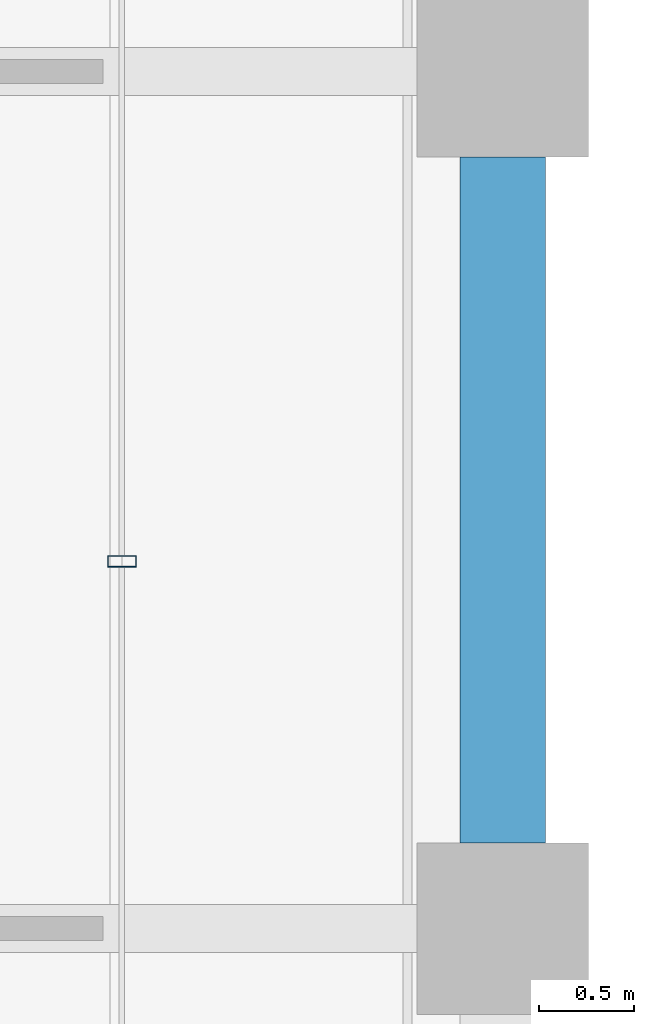
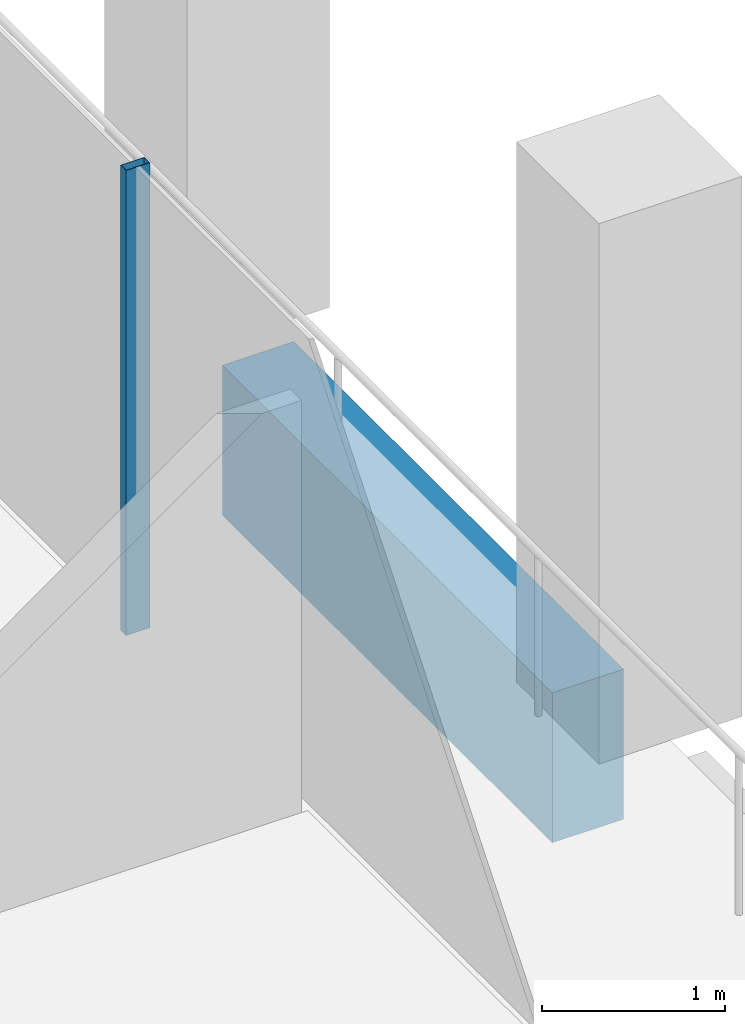
# One storey, part 17 of 40: 1 beam, 1 member, 1 element without a shape of its own.
"""IFC4 building model written with IfcOpenShell, lengths in metres."""

from ifc_helpers import new_model, si_unit, direction, frame, origin, origin_2d, place, context, subcontext, project, spatial, rectangle, hollow_rectangle, extrude, material, material_profile, profile_set, type_object, element, aggregate, save


model = new_model("IFC4")

# Units and contexts
model_context = context("Model", 3, precision=1e-05, world=origin(), true_north=direction((0.0, 1.0)))
body_context = subcontext(model_context, "Body", "Model", "MODEL_VIEW")
ifc_project = project(units=[si_unit("LENGTHUNIT", "METRE"), si_unit("AREAUNIT", "SQUARE_METRE"), si_unit("VOLUMEUNIT", "CUBIC_METRE"), si_unit("PLANEANGLEUNIT", "RADIAN"), si_unit("MASSUNIT", "GRAM", prefix="KILO")], contexts=[model_context])

# Site, building, storey
site_placement = place(None, origin())
site = spatial("IfcSite", under=ifc_project, at=site_placement, CompositionType="ELEMENT")
building_placement = place(site_placement, origin())
building = spatial("IfcBuilding", under=site, at=building_placement, Name="Altepetl Exchange Towers", CompositionType="ELEMENT")
storey_placement = place(building_placement, frame((0.0, 0.0, 176.199951171875)))
storey = spatial("IfcBuildingStorey", under=building, at=storey_placement, Name="L44", CompositionType="ELEMENT", Elevation=176.199951171875)

# Curtain wall, member
ifc_material_1 = material(Name="Aluminium 6063-T6 glazing", Category="aluminium")
curtain_wall_type = type_object("IfcCurtainWallType", Name="Loggia glazing system", PredefinedType="NOTDEFINED", material=ifc_material_1)
curtain_wall_placement = place(storey_placement, origin())
curtain_wall = element("IfcCurtainWall", 1, at=curtain_wall_placement, inside=storey, type_object=curtain_wall_type, Name="CW1 run", PredefinedType="NOTDEFINED")
ifc_material_2 = material(Name="Aluminium 6063-T6", Category="aluminium")
ifc_material_profile_1 = material_profile(ifc_material_2, hollow_rectangle(XDim=0.06005859375, YDim=0.14990234375, WallThickness=0.0029296875, at=origin_2d()), Name="Mullion 60x150 aluminium")
ifc_profile_set_1 = profile_set([ifc_material_profile_1], Name="Aluminium 6063-T6")
member_type = type_object("IfcMemberType", Name="Mullion 60x150 aluminium", PredefinedType="MULLION", material=ifc_profile_set_1)
member_placement = place(storey_placement, frame((70.0, 46.927978515625, 0.0), z_axis=(0.0, 0.0, 1.0), x_axis=(0.0, 1.0, 0.0)))
member = element("IfcMember", 2, at=member_placement, type_object=member_type, Name="MU1 mullion", PredefinedType="MULLION", context=body_context, shape_type="SweptSolid", body=[
    extrude(hollow_rectangle(XDim=0.06005859375, YDim=0.14990234375, WallThickness=0.0029296875, at=origin_2d()), origin(), (0.0, 0.0, 1.0), 3.10009765625),
])
aggregate(curtain_wall, [member])

# Beam
ifc_material_3 = material(Name="Concrete C50/60 precast with cantera amarilla facing", Category="concrete")
ifc_material_profile_2 = material_profile(ifc_material_3, rectangle(XDim=0.449951171875, YDim=1.0, at=origin_2d()), Name="450 x 1000")
ifc_profile_set_2 = profile_set([ifc_material_profile_2], Name="Concrete C50/60 precast with cantera amarilla facing")
beam_type = type_object("IfcBeamType", Name="Spandrel beam 450x1000 cantera amarilla", PredefinedType="SPANDREL", material=ifc_profile_set_2)
beam_placement = place(storey_placement, frame((72.0, 45.449951171875, -0.64990234375), z_axis=(0.0, 1.0, 0.0), x_axis=(-1.0, 0.0, 0.0)))
element("IfcBeam", 3, at=beam_placement, inside=storey, type_object=beam_type, Name="sp:A:L44:015", PredefinedType="SPANDREL", context=body_context, shape_type="SweptSolid", body=[
    extrude(rectangle(XDim=0.449951171875, YDim=1.0, at=origin_2d()), origin(), (0.0, 0.0, 1.0), 3.60009765625),
])

save(model, "model.ifc")
